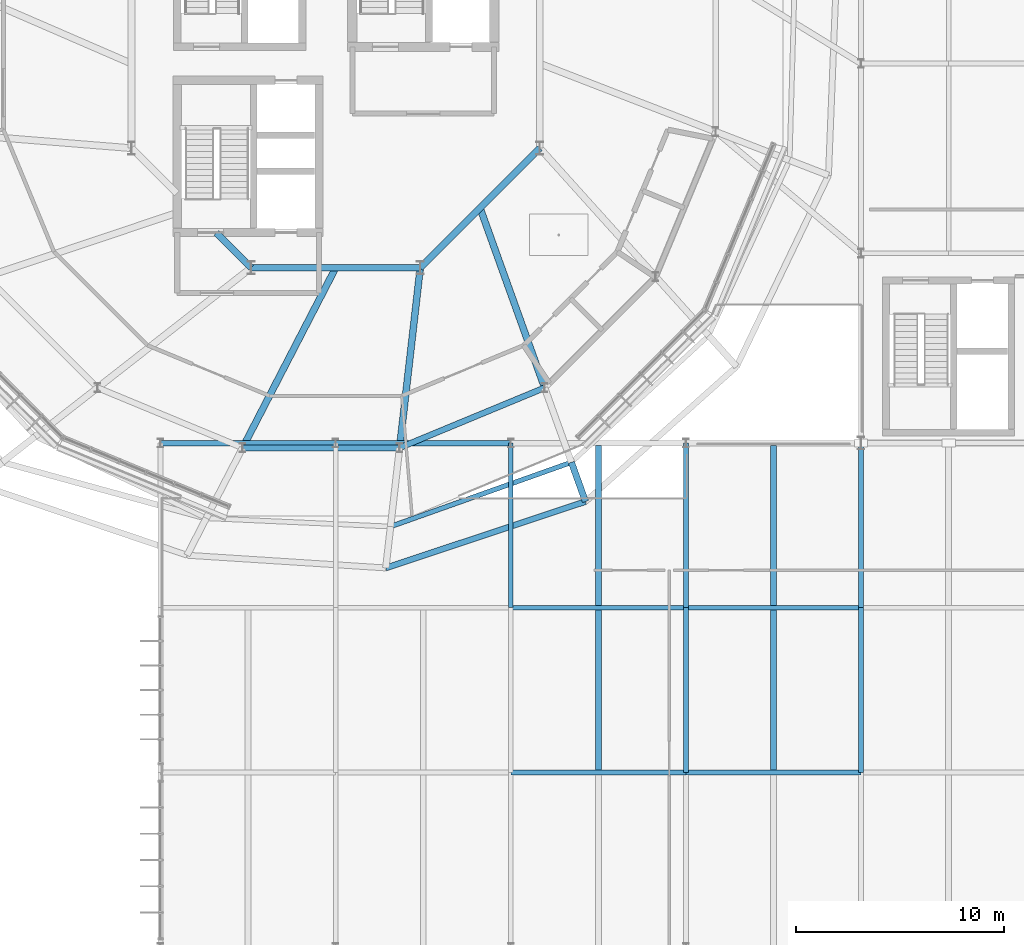
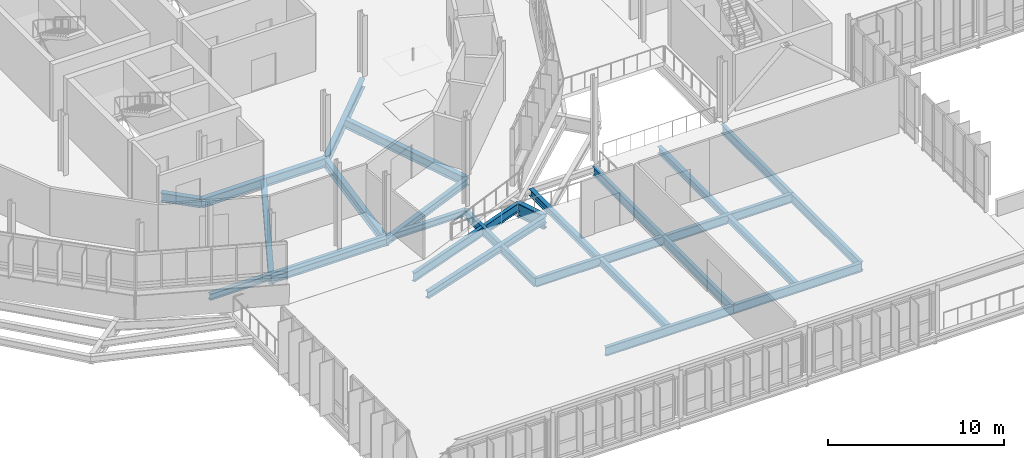
# One storey, part 23 of 107: 26 beams.
"""IFC4 building model written with IfcOpenShell, lengths in metres."""

import ifcopenshell
import ifcopenshell.guid

model = None  # the IFC model being written
_history = None  # IfcOwnerHistory: only IFC2X3 demands one
_inside = {}  # id of a spatial element -> (the spatial element, [elements in it])
_under = {}  # id of a project, library or spatial element -> (it, [spatial elements below it])
_declared = {}  # id of a project -> (the project, [libraries it declares])
_typed = {}  # id of a type object -> (the type object, [elements of that type])
_made_of = {}  # id of a material, layer set ... -> (it, [elements and type objects made of it])


def new_model(schema):
    """Start an empty IFC model of exactly this schema.

    Asked for "IFC4X3", IfcOpenShell would pick the latest addendum, in which some entities
    have other attributes; the version numbers below select the first issue.
    IFC2X3 requires an IfcOwnerHistory on every rooted entity: one is made here for all.
    """
    global model, _history
    if schema == "IFC4X3":
        model = ifcopenshell.file(schema_version=(4, 3, 0, 0))
    else:
        model = ifcopenshell.file(schema=schema)
    _inside.clear()
    _under.clear()
    _declared.clear()
    _typed.clear()
    _made_of.clear()
    _history = None
    if model.schema == "IFC2X3":
        org = make("IfcOrganization", Name="unknown")
        user = make(
            "IfcPersonAndOrganization",
            ThePerson=make("IfcPerson", FamilyName="unknown"),
            TheOrganization=org,
        )
        app = make(
            "IfcApplication",
            ApplicationDeveloper=org,
            Version="unknown",
            ApplicationFullName="unknown",
            ApplicationIdentifier="unknown",
        )
        _history = make(
            "IfcOwnerHistory",
            OwningUser=user,
            OwningApplication=app,
            ChangeAction="ADDED",
            CreationDate=0,
        )
    return model


def make(cls, **values):
    """One entity of the class cls with the attributes given. An attribute that is None is left unset."""
    return model.create_entity(
        cls, **{name: value for name, value in values.items() if value is not None}
    )


def rooted(cls, **values):
    """An entity with a GlobalId (a new one), such as an element, a storey or a relation."""
    return make(cls, GlobalId=ifcopenshell.guid.new(), OwnerHistory=_history, **values)


def si_unit(unit_type, name, prefix=None):
    """IfcSIUnit, for example si_unit("LENGTHUNIT", "METRE", prefix="MILLI")."""
    return make("IfcSIUnit", UnitType=unit_type, Prefix=prefix, Name=name)


def derived_unit(unit_type, elements):
    """IfcDerivedUnit: a product of units, each with its exponent."""
    return make(
        "IfcDerivedUnit",
        Elements=[
            make("IfcDerivedUnitElement", Unit=unit, Exponent=power)
            for unit, power in elements
        ],
        UnitType=unit_type,
    )


def assignment(units):
    """IfcUnitAssignment: the units of a project."""
    return None if units is None else make("IfcUnitAssignment", Units=units)


def point(xyz):
    """IfcCartesianPoint."""
    return None if xyz is None else make("IfcCartesianPoint", Coordinates=xyz)


def direction(xyz):
    """IfcDirection."""
    return None if xyz is None else make("IfcDirection", DirectionRatios=xyz)


def frame(location, z_axis=None, x_axis=None):
    """IfcAxis2Placement3D, a coordinate frame: its origin and axes. An axis left out is left unset."""
    return make(
        "IfcAxis2Placement3D",
        Location=point(location),
        Axis=direction(z_axis),
        RefDirection=direction(x_axis),
    )


def frame_2d(location, x_axis=None):
    """IfcAxis2Placement2D, a coordinate frame in the plane: its origin and x axis."""
    return make(
        "IfcAxis2Placement2D", Location=point(location), RefDirection=direction(x_axis)
    )


def origin():
    """The frame at (0, 0, 0) with its axes left unset."""
    return frame((0.0, 0.0, 0.0))


def origin_2d():
    """The frame at (0, 0) in the plane with its x axis left unset."""
    return frame_2d((0.0, 0.0))


def place(relative_to, where):
    """IfcLocalPlacement: puts the frame where relative to a parent placement (None: the world)."""
    return make(
        "IfcLocalPlacement", PlacementRelTo=relative_to, RelativePlacement=where
    )


def context(
    kind, dimensions, precision=None, world=None, true_north=None, identifier=None
):
    """IfcGeometricRepresentationContext, for example the 3D "Model" context."""
    return make(
        "IfcGeometricRepresentationContext",
        ContextIdentifier=identifier,
        ContextType=kind,
        CoordinateSpaceDimension=dimensions,
        Precision=precision,
        WorldCoordinateSystem=world,
        TrueNorth=true_north,
    )


def subcontext(parent, identifier, kind, view, scale=None):
    """IfcGeometricRepresentationSubContext, for example "Body" below "Model"."""
    return make(
        "IfcGeometricRepresentationSubContext",
        ContextIdentifier=identifier,
        ContextType=kind,
        ParentContext=parent,
        TargetScale=scale,
        TargetView=view,
    )


def project(units=None, contexts=None):
    """IfcProject with its units and contexts."""
    return rooted(
        "IfcProject",
        Name="project",
        RepresentationContexts=contexts,
        UnitsInContext=assignment(units),
    )


def spatial(cls, under=None, at=None, **own):
    """A site, building, storey or space (cls), placed at a placement, below another one or the project."""
    s = rooted(cls, ObjectPlacement=at, **own)
    if under is not None:
        _under.setdefault(under.id(), (under, []))[1].append(s)
    return s


def profile(cls, at=None, kind="AREA", **sizes):
    """A parametric profile (cls). Its sizes go by their IFC names, for example OverallWidth=200.0."""
    return make(cls, ProfileType=kind, Position=at, **sizes)


def i_section(**sizes):
    """IfcIShapeProfileDef."""
    return profile("IfcIShapeProfileDef", **sizes)


def extrude(swept, where, along, depth):
    """IfcExtrudedAreaSolid: the profile swept, set in the frame where, extruded along a direction by depth."""
    return make(
        "IfcExtrudedAreaSolid",
        SweptArea=swept,
        Position=where,
        ExtrudedDirection=direction(along),
        Depth=depth,
    )


def shape(context_of_items, identifier, shape_type, items):
    """IfcShapeRepresentation: the items that make up one representation, for example the "Body"."""
    return make(
        "IfcShapeRepresentation",
        ContextOfItems=context_of_items,
        RepresentationIdentifier=identifier,
        RepresentationType=shape_type,
        Items=items,
    )


def material(Name=None, Category=None):
    """IfcMaterial."""
    return make("IfcMaterial", Name=Name, Category=Category)


def material_profile(
    of_material, cross_section, Name=None, Category=None, Priority=None
):
    """IfcMaterialProfile: a cross section and its material."""
    return make(
        "IfcMaterialProfile",
        Name=Name,
        Material=of_material,
        Profile=cross_section,
        Priority=Priority,
        Category=Category,
    )


def profile_set(profiles, Name=None, composite=None):
    """IfcMaterialProfileSet."""
    return make(
        "IfcMaterialProfileSet",
        Name=Name,
        MaterialProfiles=profiles,
        CompositeProfile=composite,
    )


def made_of(thing, what):
    """Note that an element or type object is made of a material, layer set ...; save() writes the relation."""
    if what is not None:
        _made_of.setdefault(what.id(), (what, []))[1].append(thing)
    return thing


def type_object(cls, material=None, **own):
    """A type object (cls), such as IfcWallType, which elements share."""
    return made_of(rooted(cls, **own), material)


def element(
    cls,
    number,
    at=None,
    inside=None,
    cuts=None,
    type_object=None,
    material=None,
    context=None,
    identifier="Body",
    shape_type=None,
    held_by="IfcProductDefinitionShape",
    body=None,
    shapes=None,
    **own,
):
    """One element of the class cls, such as IfcWall. Its Tag is "e" and its number.

    at: its placement. inside: the storey or other place that contains it. cuts: it is an
    opening in that element (IfcRelVoidsElement). A single representation is given by context,
    identifier, shape_type and body (its items); several are given by shapes. held_by: the class
    of the entity that holds the representations. save() writes the other relations.
    """
    e = rooted(cls, Tag="e%d" % number, ObjectPlacement=at, **own)
    if body is not None:
        shapes = [shape(context, identifier, shape_type, body)]
    if shapes is not None:
        e.Representation = make(held_by, Representations=shapes)
    if inside is not None:
        _inside.setdefault(inside.id(), (inside, []))[1].append(e)
    if cuts is not None:
        rooted(
            "IfcRelVoidsElement", RelatingBuildingElement=cuts, RelatedOpeningElement=e
        )
    if type_object is not None:
        _typed.setdefault(type_object.id(), (type_object, []))[1].append(e)
    return made_of(e, material)


def aggregate(whole, parts):
    """IfcRelAggregates: a whole, such as a stair, and the parts it consists of."""
    return rooted("IfcRelAggregates", RelatingObject=whole, RelatedObjects=parts)


def save(model, path):
    """Write the relations noted so far, then the file.

    IfcRelAggregates (storeys below a building ...), IfcRelContainedInSpatialStructure (elements
    in a storey), IfcRelDefinesByType, IfcRelAssociatesMaterial and IfcRelDeclares: one each for
    every whole, place, type object, material and project.
    """
    for whole, parts in _under.values():
        aggregate(whole, parts)
    for where, things in _inside.values():
        rooted(
            "IfcRelContainedInSpatialStructure",
            RelatedElements=things,
            RelatingStructure=where,
        )
    for kind, things in _typed.values():
        rooted("IfcRelDefinesByType", RelatedObjects=things, RelatingType=kind)
    for what, things in _made_of.values():
        rooted("IfcRelAssociatesMaterial", RelatedObjects=things, RelatingMaterial=what)
    for by, libraries in _declared.values():
        rooted("IfcRelDeclares", RelatingContext=by, RelatedDefinitions=libraries)
    model.write(path)


model = new_model("IFC4")

# Units and contexts
model_context = context("Model", 3, precision=1e-05, world=origin(), true_north=direction((0.0, 1.0)))
body_context = subcontext(model_context, "Body", "Model", "MODEL_VIEW")
ifc_project = project(units=[si_unit("LENGTHUNIT", "METRE"), si_unit("AREAUNIT", "SQUARE_METRE"), si_unit("VOLUMEUNIT", "CUBIC_METRE"), si_unit("PLANEANGLEUNIT", "RADIAN"), si_unit("MASSUNIT", "GRAM", prefix="KILO"), derived_unit("THERMALTRANSMITTANCEUNIT", [(si_unit("MASSUNIT", "GRAM", prefix="KILO"), 1), (si_unit("TIMEUNIT", "SECOND"), -3), (si_unit("THERMODYNAMICTEMPERATUREUNIT", "KELVIN"), -1)])], contexts=[model_context])

# Site, building, storey
site_placement = place(None, origin())
site = spatial("IfcSite", under=ifc_project, at=site_placement, CompositionType="ELEMENT")
building_placement = place(site_placement, origin())
building = spatial("IfcBuilding", under=site, at=building_placement, Name="Makaiwela Harbour Ferry Terminal", CompositionType="ELEMENT")
storey_placement = place(building_placement, frame((0.0, 0.0, 9.60009765625)))
storey = spatial("IfcBuildingStorey", under=building, at=storey_placement, Name="L02", CompositionType="ELEMENT", Elevation=9.60009765625)

# Beams
ifc_material = material(Name="Steel ASTM A992 Grade 50", Category="steel")
ifc_material_profile_1 = material_profile(ifc_material, i_section(OverallWidth=0.280029296875, OverallDepth=0.462890625, WebThickness=0.0107421875, FlangeThickness=0.017333984375, at=origin_2d()), Name="W18X76")
ifc_profile_set_1 = profile_set([ifc_material_profile_1], Name="Steel ASTM A992 Grade 50")
beam_type_1 = type_object("IfcBeamType", Name="STR-BM-W18X76", PredefinedType="BEAM", material=ifc_profile_set_1)
beam_1_placement = place(storey_placement, frame((50.39990234375, 33.696533203125, -0.49169921875), z_axis=(0.0, 1.0, 0.0), x_axis=(-1.0, 0.0, 0.0)))
element("IfcBeam", 1, at=beam_1_placement, inside=storey, type_object=beam_type_1, Name="Secondary floor beam 1462", PredefinedType="BEAM", context=body_context, shape_type="SweptSolid", body=[
    extrude(i_section(OverallWidth=0.280029296875, OverallDepth=0.462890625, WebThickness=0.0107421875, FlangeThickness=0.017333984375, at=origin_2d()), origin(), (0.0, 0.0, 1.0), 7.70703125),
])
beam_2_placement = place(storey_placement, frame((50.39990234375, 41.596435546875, -0.49169921875), z_axis=(0.0, 1.0, 0.0), x_axis=(-1.0, 0.0, 0.0)))
element("IfcBeam", 2, at=beam_2_placement, inside=storey, type_object=beam_type_1, Name="Secondary floor beam 1463", PredefinedType="BEAM", context=body_context, shape_type="SweptSolid", body=[
    extrude(i_section(OverallWidth=0.280029296875, OverallDepth=0.462890625, WebThickness=0.0107421875, FlangeThickness=0.017333984375, at=origin_2d()), origin(), (0.0, 0.0, 1.0), 7.68896484375),
])
beam_3_placement = place(storey_placement, frame((58.800048828125, 33.696533203125, -0.49169921875), z_axis=(0.0, 1.0, 0.0), x_axis=(-1.0, 0.0, 0.0)))
element("IfcBeam", 3, at=beam_3_placement, inside=storey, type_object=beam_type_1, Name="Secondary floor beam 1465", PredefinedType="BEAM", context=body_context, shape_type="SweptSolid", body=[
    extrude(i_section(OverallWidth=0.280029296875, OverallDepth=0.462890625, WebThickness=0.0107421875, FlangeThickness=0.017333984375, at=origin_2d()), origin(), (0.0, 0.0, 1.0), 7.70703125),
])
beam_4_placement = place(storey_placement, frame((58.800048828125, 41.596435546875, -0.49169921875), z_axis=(0.0, 1.0, 0.0), x_axis=(-1.0, 0.0, 0.0)))
element("IfcBeam", 4, at=beam_4_placement, inside=storey, type_object=beam_type_1, Name="Secondary floor beam 1466", PredefinedType="BEAM", context=body_context, shape_type="SweptSolid", body=[
    extrude(i_section(OverallWidth=0.280029296875, OverallDepth=0.462890625, WebThickness=0.0107421875, FlangeThickness=0.017333984375, at=origin_2d()), origin(), (0.0, 0.0, 1.0), 7.68896484375),
])
ifc_material_profile_2 = material_profile(ifc_material, i_section(OverallWidth=0.324951171875, OverallDepth=0.615966796875, WebThickness=0.013916015625, FlangeThickness=0.021484375, at=origin_2d()), Name="W24X117")
ifc_profile_set_2 = profile_set([ifc_material_profile_2], Name="Steel ASTM A992 Grade 50")
beam_type_2 = type_object("IfcBeamType", Name="STR-GRD-W24X117", PredefinedType="USERDEFINED", material=ifc_profile_set_2)
beam_5_placement = place(storey_placement, frame((32.070556640625, 59.47998046875, -0.568115234375), z_axis=(0.707106781187, -0.707106781187, 0.0), x_axis=(0.707106781187, 0.707106781187, 0.0)))
element("IfcBeam", 5, at=beam_5_placement, inside=storey, type_object=beam_type_2, Name="Drum inner ring girder 128", ObjectType="GIRDER", PredefinedType="USERDEFINED", context=body_context, shape_type="SweptSolid", body=[
    extrude(i_section(OverallWidth=0.324951171875, OverallDepth=0.615966796875, WebThickness=0.013916015625, FlangeThickness=0.021484375, at=origin_2d()), origin(), (0.0, 0.0, 1.0), 2.3662109375),
])
for number, where, z_axis, x_axis, name in (
    (6, (33.74365234375, 57.806884765625, -0.568115234375), (1.0, 0.0, 0.0), (0.0, 1.0, 0.0), "Drum inner ring girder 129"),
    (7, (41.8564453125, 57.806884765625, -0.568115234375), (0.707091734601, 0.707121827452, 0.0), (-0.707121827452, 0.707091734601, 0.0), "Drum inner ring girder 130"),
):
    element("IfcBeam", number, at=place(storey_placement, frame(where, z_axis=z_axis, x_axis=x_axis)), inside=storey, type_object=beam_type_2, Name=name, ObjectType="GIRDER", PredefinedType="USERDEFINED", context=body_context, shape_type="SweptSolid", body=[
        extrude(i_section(OverallWidth=0.324951171875, OverallDepth=0.615966796875, WebThickness=0.013916015625, FlangeThickness=0.021484375, at=origin_2d()), origin(), (0.0, 0.0, 1.0), 8.11279296875),
    ])
beam_6_placement = place(storey_placement, frame((37.800048828125, 57.806884765625, -0.568115234375), z_axis=(-0.459296530257, -0.888283005181, 0.0), x_axis=(0.888283005181, -0.459296530257, 0.0)))
element("IfcBeam", 8, at=beam_6_placement, inside=storey, type_object=beam_type_2, Name="Drum radial girder 183", ObjectType="GIRDER", PredefinedType="USERDEFINED", context=body_context, shape_type="SweptSolid", body=[
    extrude(i_section(OverallWidth=0.324951171875, OverallDepth=0.615966796875, WebThickness=0.013916015625, FlangeThickness=0.021484375, at=origin_2d()), origin(), (0.0, 0.0, 1.0), 9.72216796875),
])
beam_7_placement = place(storey_placement, frame((41.8564453125, 57.806884765625, -0.568115234375), z_axis=(-0.11402817728, -0.993477515994, 0.0), x_axis=(0.993477515994, -0.11402817728, 0.0)))
element("IfcBeam", 9, at=beam_7_placement, inside=storey, type_object=beam_type_2, Name="Drum radial girder 186", ObjectType="GIRDER", PredefinedType="USERDEFINED", context=body_context, shape_type="SweptSolid", body=[
    extrude(i_section(OverallWidth=0.324951171875, OverallDepth=0.615966796875, WebThickness=0.013916015625, FlangeThickness=0.021484375, at=origin_2d()), origin(), (0.0, 0.0, 1.0), 8.692626953125),
])
beam_8_placement = place(storey_placement, frame((44.724853515625, 60.67529296875, -0.568115234375), z_axis=(0.338086262621, -0.941115125278, 0.0), x_axis=(0.941115125278, 0.338086262621, 0.0)))
element("IfcBeam", 10, at=beam_8_placement, inside=storey, type_object=beam_type_2, Name="Drum radial girder 189", ObjectType="GIRDER", PredefinedType="USERDEFINED", context=body_context, shape_type="SweptSolid", body=[
    extrude(i_section(OverallWidth=0.324951171875, OverallDepth=0.615966796875, WebThickness=0.013916015625, FlangeThickness=0.021484375, at=origin_2d()), origin(), (0.0, 0.0, 1.0), 9.162353515625),
])
ifc_material_profile_3 = material_profile(ifc_material, i_section(OverallWidth=0.22900390625, OverallDepth=0.612060546875, WebThickness=0.011962890625, FlangeThickness=0.01953125, at=origin_2d()), Name="W24X84")
ifc_profile_set_3 = profile_set([ifc_material_profile_3], Name="Steel ASTM A992 Grade 50")
beam_type_3 = type_object("IfcBeamType", Name="STR-GRD-W24X84", PredefinedType="USERDEFINED", material=ifc_profile_set_3)
beam_9_placement = place(storey_placement, frame((40.431884765625, 45.3955078125, -0.566162109375), z_axis=(0.942345758872, 0.334640808533, 0.0), x_axis=(-0.334640808533, 0.942345758872, 0.0)))
element("IfcBeam", 11, at=beam_9_placement, inside=storey, type_object=beam_type_3, Name="Drum overhang tie girder 219", ObjectType="GIRDER", PredefinedType="USERDEFINED", context=body_context, shape_type="SweptSolid", body=[
    extrude(i_section(OverallWidth=0.22900390625, OverallDepth=0.612060546875, WebThickness=0.011962890625, FlangeThickness=0.01953125, at=origin_2d()), origin(), (0.0, 0.0, 1.0), 9.206298828125),
])
beam_10_placement = place(storey_placement, frame((46.199951171875, 33.60009765625, -0.566162109375), z_axis=(1.0, 0.0, 0.0), x_axis=(0.0, 1.0, 0.0)))
element("IfcBeam", 12, at=beam_10_placement, inside=storey, type_object=beam_type_3, Name="Primary X girder 1247", ObjectType="GIRDER", PredefinedType="USERDEFINED", context=body_context, shape_type="SweptSolid", body=[
    extrude(i_section(OverallWidth=0.22900390625, OverallDepth=0.612060546875, WebThickness=0.011962890625, FlangeThickness=0.01953125, at=origin_2d()), origin(), (0.0, 0.0, 1.0), 8.400146484375),
])
beam_11_placement = place(storey_placement, frame((54.60009765625, 33.60009765625, -0.566162109375), z_axis=(1.0, 0.0, 0.0), x_axis=(0.0, 1.0, 0.0)))
element("IfcBeam", 13, at=beam_11_placement, inside=storey, type_object=beam_type_3, Name="Primary X girder 1248", ObjectType="GIRDER", PredefinedType="USERDEFINED", context=body_context, shape_type="SweptSolid", body=[
    extrude(i_section(OverallWidth=0.22900390625, OverallDepth=0.612060546875, WebThickness=0.011962890625, FlangeThickness=0.01953125, at=origin_2d()), origin(), (0.0, 0.0, 1.0), 8.39990234375),
])
beam_12_placement = place(storey_placement, frame((46.199951171875, 41.5, -0.566162109375), z_axis=(1.0, 0.0, 0.0), x_axis=(0.0, 1.0, 0.0)))
element("IfcBeam", 14, at=beam_12_placement, inside=storey, type_object=beam_type_3, Name="Primary X girder 1263", ObjectType="GIRDER", PredefinedType="USERDEFINED", context=body_context, shape_type="SweptSolid", body=[
    extrude(i_section(OverallWidth=0.22900390625, OverallDepth=0.612060546875, WebThickness=0.011962890625, FlangeThickness=0.01953125, at=origin_2d()), origin(), (0.0, 0.0, 1.0), 8.400146484375),
])
beam_13_placement = place(storey_placement, frame((54.60009765625, 41.5, -0.566162109375), z_axis=(1.0, 0.0, 0.0), x_axis=(0.0, 1.0, 0.0)))
element("IfcBeam", 15, at=beam_13_placement, inside=storey, type_object=beam_type_3, Name="Primary X girder 1264", ObjectType="GIRDER", PredefinedType="USERDEFINED", context=body_context, shape_type="SweptSolid", body=[
    extrude(i_section(OverallWidth=0.22900390625, OverallDepth=0.612060546875, WebThickness=0.011962890625, FlangeThickness=0.01953125, at=origin_2d()), origin(), (0.0, 0.0, 1.0), 8.39990234375),
])
for number, where, z_axis, x_axis, name in (
    (16, (46.199951171875, 41.5, -0.566162109375), (0.0, 1.0, 0.0), (-1.0, 0.0, 0.0), "Primary Y girder 1354"),
    (17, (54.60009765625, 33.60009765625, -0.566162109375), (0.0, 1.0, 0.0), (-1.0, 0.0, 0.0), "Primary Y girder 1356"),
    (18, (54.60009765625, 41.5, -0.566162109375), (0.0, 1.0, 0.0), (-1.0, 0.0, 0.0), "Primary Y girder 1357"),
    (19, (63.0, 33.60009765625, -0.566162109375), (0.0, 1.0, 0.0), (-1.0, 0.0, 0.0), "Primary Y girder 1359"),
    (20, (63.0, 41.5, -0.566162109375), (0.0, 1.0, 0.0), (-1.0, 0.0, 0.0), "Primary Y girder 1360"),
):
    element("IfcBeam", number, at=place(storey_placement, frame(where, z_axis=z_axis, x_axis=x_axis)), inside=storey, type_object=beam_type_3, Name=name, ObjectType="GIRDER", PredefinedType="USERDEFINED", context=body_context, shape_type="SweptSolid", body=[
        extrude(i_section(OverallWidth=0.22900390625, OverallDepth=0.612060546875, WebThickness=0.011962890625, FlangeThickness=0.01953125, at=origin_2d()), origin(), (0.0, 0.0, 1.0), 7.89990234375),
    ])
ifc_material_profile_4 = material_profile(ifc_material, i_section(OverallWidth=0.31005859375, OverallDepth=0.949951171875, WebThickness=0.0244140625, FlangeThickness=0.0439453125, at=origin_2d()), Name="W36X256")
ifc_profile_set_4 = profile_set([ifc_material_profile_4], Name="Steel ASTM A992 Grade 50")
beam_type_4 = type_object("IfcBeamType", Name="STR-GRD-W36X256", PredefinedType="USERDEFINED", material=ifc_profile_set_4)
beam_14_placement = place(storey_placement, frame((49.107421875, 48.476318359375, -0.735107421875), z_axis=(0.338044990748, -0.941129950767, 0.0), x_axis=(0.941129950767, 0.338044990748, 0.0)))
element("IfcBeam", 21, at=beam_14_placement, inside=storey, type_object=beam_type_4, Name="Drum overhang radial girder 191", ObjectType="GIRDER", PredefinedType="USERDEFINED", context=body_context, shape_type="SweptSolid", body=[
    extrude(i_section(OverallWidth=0.31005859375, OverallDepth=0.949951171875, WebThickness=0.0244140625, FlangeThickness=0.0439453125, at=origin_2d()), origin(), (0.0, 0.0, 1.0), 1.999755859375),
])
ifc_material_profile_5 = material_profile(ifc_material, i_section(OverallWidth=0.264892578125, OverallDepth=0.430908203125, WebThickness=0.014892578125, FlangeThickness=0.02490234375, at=origin_2d()), Name="W16X100")
ifc_profile_set_5 = profile_set([ifc_material_profile_5], Name="Steel ASTM A992 Grade 50")
beam_type_5 = type_object("IfcBeamType", Name="STR-SPN-W16X100", PredefinedType="SPANDREL", material=ifc_profile_set_5)
beam_15_placement = place(storey_placement, frame((29.39990234375, 49.39990234375, -0.4755859375), z_axis=(1.0, 0.0, 0.0), x_axis=(0.0, 1.0, 0.0)))
element("IfcBeam", 22, at=beam_15_placement, inside=storey, type_object=beam_type_5, Name="Primary X girder 1269", PredefinedType="SPANDREL", context=body_context, shape_type="SweptSolid", body=[
    extrude(i_section(OverallWidth=0.264892578125, OverallDepth=0.430908203125, WebThickness=0.014892578125, FlangeThickness=0.02490234375, at=origin_2d()), origin(), (0.0, 0.0, 1.0), 8.400146484375),
])
beam_16_placement = place(storey_placement, frame((37.800048828125, 49.39990234375, -0.4755859375), z_axis=(1.0, 0.0, 0.0), x_axis=(0.0, 1.0, 0.0)))
element("IfcBeam", 23, at=beam_16_placement, inside=storey, type_object=beam_type_5, Name="Primary X girder 1270", PredefinedType="SPANDREL", context=body_context, shape_type="SweptSolid", body=[
    extrude(i_section(OverallWidth=0.264892578125, OverallDepth=0.430908203125, WebThickness=0.014892578125, FlangeThickness=0.02490234375, at=origin_2d()), origin(), (0.0, 0.0, 1.0), 8.39990234375),
])
ifc_material_profile_6 = material_profile(ifc_material, i_section(OverallWidth=0.283935546875, OverallDepth=0.47607421875, WebThickness=0.014892578125, FlangeThickness=0.02392578125, at=origin_2d()), Name="W18X106")
ifc_profile_set_6 = profile_set([ifc_material_profile_6], Name="Steel ASTM A992 Grade 50")
beam_type_6 = type_object("IfcBeamType", Name="STR-SPN-W18X106", PredefinedType="SPANDREL", material=ifc_profile_set_6)
for number, where, z_axis, x_axis, name in (
    (24, (33.334716796875, 49.1708984375, -0.498046875), (1.0, 0.0, 0.0), (0.0, 1.0, 0.0), "Drum column ring girder 143"),
    (25, (40.865234375, 49.1708984375, -0.498046875), (0.92388920519, 0.382660079618, 0.0), (-0.382660079618, 0.92388920519, 0.0), "Drum column ring girder 144"),
):
    element("IfcBeam", number, at=place(storey_placement, frame(where, z_axis=z_axis, x_axis=x_axis)), inside=storey, type_object=beam_type_6, Name=name, PredefinedType="SPANDREL", context=body_context, shape_type="SweptSolid", body=[
        extrude(i_section(OverallWidth=0.283935546875, OverallDepth=0.47607421875, WebThickness=0.014892578125, FlangeThickness=0.02392578125, at=origin_2d()), origin(), (0.0, 0.0, 1.0), 7.530517578125),
    ])
beam_17_placement = place(storey_placement, frame((40.203857421875, 43.40869140625, -0.498046875), z_axis=(0.948910377398, 0.3155457109, 0.0), x_axis=(-0.3155457109, 0.948910377398, 0.0)))
element("IfcBeam", 26, at=beam_17_placement, inside=storey, type_object=beam_type_6, Name="Drum perimeter spandrel 232", PredefinedType="SPANDREL", context=body_context, shape_type="SweptSolid", body=[
    extrude(i_section(OverallWidth=0.283935546875, OverallDepth=0.47607421875, WebThickness=0.014892578125, FlangeThickness=0.02392578125, at=origin_2d()), origin(), (0.0, 0.0, 1.0), 10.095458984375),
])

save(model, "model.ifc")
